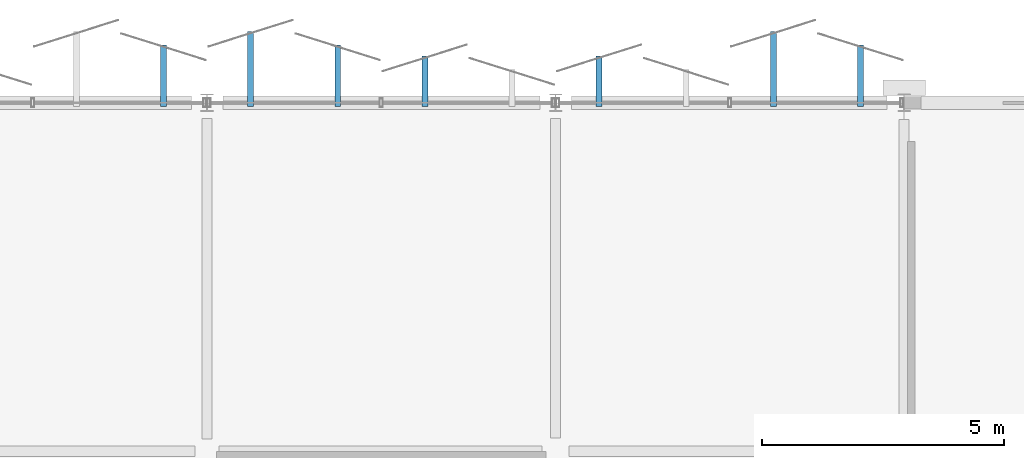
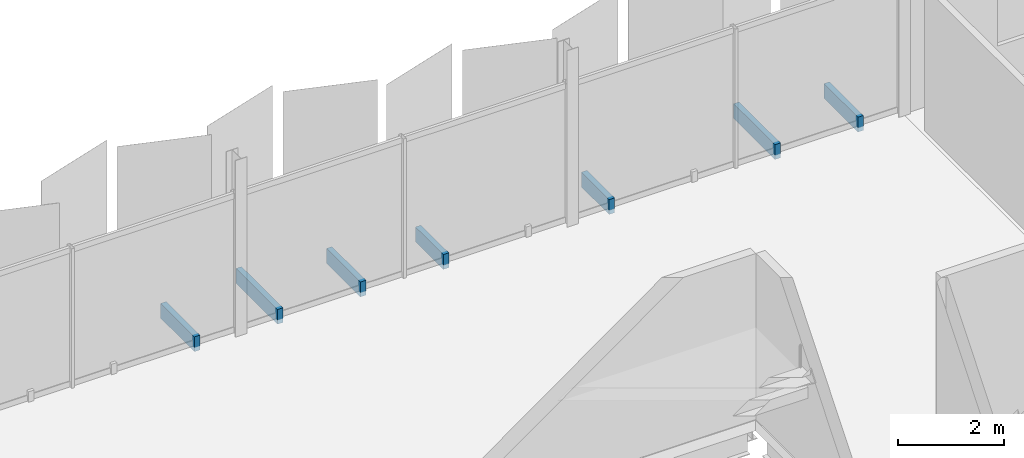
# One storey, part 85 of 91: 7 discrete accessories.
"""IFC4 building model written with IfcOpenShell, lengths in metres."""

from ifc_helpers import new_model, si_unit, direction, frame, origin, origin_2d, place, context, subcontext, project, spatial, rectangle, extrude, material, type_object, element, save


model = new_model("IFC4")

# Units and contexts
model_context = context("Model", 3, precision=1e-05, world=origin(), true_north=direction((0.0, 1.0)))
body_context = subcontext(model_context, "Body", "Model", "MODEL_VIEW")
ifc_project = project(units=[si_unit("LENGTHUNIT", "METRE"), si_unit("AREAUNIT", "SQUARE_METRE"), si_unit("VOLUMEUNIT", "CUBIC_METRE"), si_unit("PLANEANGLEUNIT", "RADIAN"), si_unit("MASSUNIT", "GRAM", prefix="KILO")], contexts=[model_context])

# Site, building, storey
site_placement = place(None, origin())
site = spatial("IfcSite", under=ifc_project, at=site_placement, CompositionType="ELEMENT")
building_placement = place(site_placement, origin())
building = spatial("IfcBuilding", under=site, at=building_placement, Name="Kangsadwip Square Police Headquarters", CompositionType="ELEMENT")
storey_placement = place(building_placement, frame((0.0, 0.0, 13.5)))
storey = spatial("IfcBuildingStorey", under=building, at=storey_placement, Name="L03", CompositionType="ELEMENT", Elevation=13.5)

# Discrete accessories
ifc_material = material(Name="Structural steel IS 2062 E350 (Grade 350, 350 MPa)", Category="steel")
discrete_accessory_type = type_object("IfcDiscreteAccessoryType", Name="VeilOutriggerBracket", PredefinedType="BRACKET", material=ifc_material)
discrete_accessory_1_placement = place(storey_placement, frame((128.699951171875, 115.75732421875, -0.10009765625), z_axis=(0.0, 0.0, 1.0), x_axis=(1.0, 0.0, 0.0)))
element("IfcDiscreteAccessory", 1, at=discrete_accessory_1_placement, inside=storey, type_object=discrete_accessory_type, Name="Veil Outrigger Bracket VBK-L03-0132", PredefinedType="BRACKET", context=body_context, shape_type="SweptSolid", body=[
    extrude(rectangle(XDim=0.1201171875, YDim=1.274658203125, at=origin_2d()), origin(), (0.0, 0.0, 1.0), 0.340087890625),
])
discrete_accessory_2_placement = place(storey_placement, frame((130.5, 115.897216796875, -0.10009765625), z_axis=(0.0, 0.0, 1.0), x_axis=(1.0, 0.0, 0.0)))
element("IfcDiscreteAccessory", 2, at=discrete_accessory_2_placement, inside=storey, type_object=discrete_accessory_type, Name="Veil Outrigger Bracket VBK-L03-0133", PredefinedType="BRACKET", context=body_context, shape_type="SweptSolid", body=[
    extrude(rectangle(XDim=0.1201171875, YDim=1.5546875, at=origin_2d()), origin(), (0.0, 0.0, 1.0), 0.340087890625),
])
discrete_accessory_3_placement = place(storey_placement, frame((132.300048828125, 115.75732421875, -0.10009765625), z_axis=(0.0, 0.0, 1.0), x_axis=(1.0, 0.0, 0.0)))
element("IfcDiscreteAccessory", 3, at=discrete_accessory_3_placement, inside=storey, type_object=discrete_accessory_type, Name="Veil Outrigger Bracket VBK-L03-0134", PredefinedType="BRACKET", context=body_context, shape_type="SweptSolid", body=[
    extrude(rectangle(XDim=0.1201171875, YDim=1.274658203125, at=origin_2d()), origin(), (0.0, 0.0, 1.0), 0.340087890625),
])
for number, where, z_axis, x_axis, name in (
    (4, (134.10009765625, 115.642578125, -0.10009765625), (0.0, 0.0, 1.0), (1.0, 0.0, 0.0), "Veil Outrigger Bracket VBK-L03-0135"),
    (5, (137.699951171875, 115.642578125, -0.10009765625), (0.0, 0.0, 1.0), (1.0, 0.0, 0.0), "Veil Outrigger Bracket VBK-L03-0137"),
):
    element("IfcDiscreteAccessory", number, at=place(storey_placement, frame(where, z_axis=z_axis, x_axis=x_axis)), inside=storey, type_object=discrete_accessory_type, Name=name, PredefinedType="BRACKET", context=body_context, shape_type="SweptSolid", body=[
        extrude(rectangle(XDim=0.1201171875, YDim=1.04541015625, at=origin_2d()), origin(), (0.0, 0.0, 1.0), 0.340087890625),
    ])
discrete_accessory_4_placement = place(storey_placement, frame((141.300048828125, 115.897216796875, -0.10009765625), z_axis=(0.0, 0.0, 1.0), x_axis=(1.0, 0.0, 0.0)))
element("IfcDiscreteAccessory", 6, at=discrete_accessory_4_placement, inside=storey, type_object=discrete_accessory_type, Name="Veil Outrigger Bracket VBK-L03-0139", PredefinedType="BRACKET", context=body_context, shape_type="SweptSolid", body=[
    extrude(rectangle(XDim=0.1201171875, YDim=1.5546875, at=origin_2d()), origin(), (0.0, 0.0, 1.0), 0.340087890625),
])
discrete_accessory_5_placement = place(storey_placement, frame((143.10009765625, 115.75732421875, -0.10009765625), z_axis=(0.0, 0.0, 1.0), x_axis=(1.0, 0.0, 0.0)))
element("IfcDiscreteAccessory", 7, at=discrete_accessory_5_placement, inside=storey, type_object=discrete_accessory_type, Name="Veil Outrigger Bracket VBK-L03-0140", PredefinedType="BRACKET", context=body_context, shape_type="SweptSolid", body=[
    extrude(rectangle(XDim=0.1201171875, YDim=1.274658203125, at=origin_2d()), origin(), (0.0, 0.0, 1.0), 0.340087890625),
])

save(model, "model.ifc")
